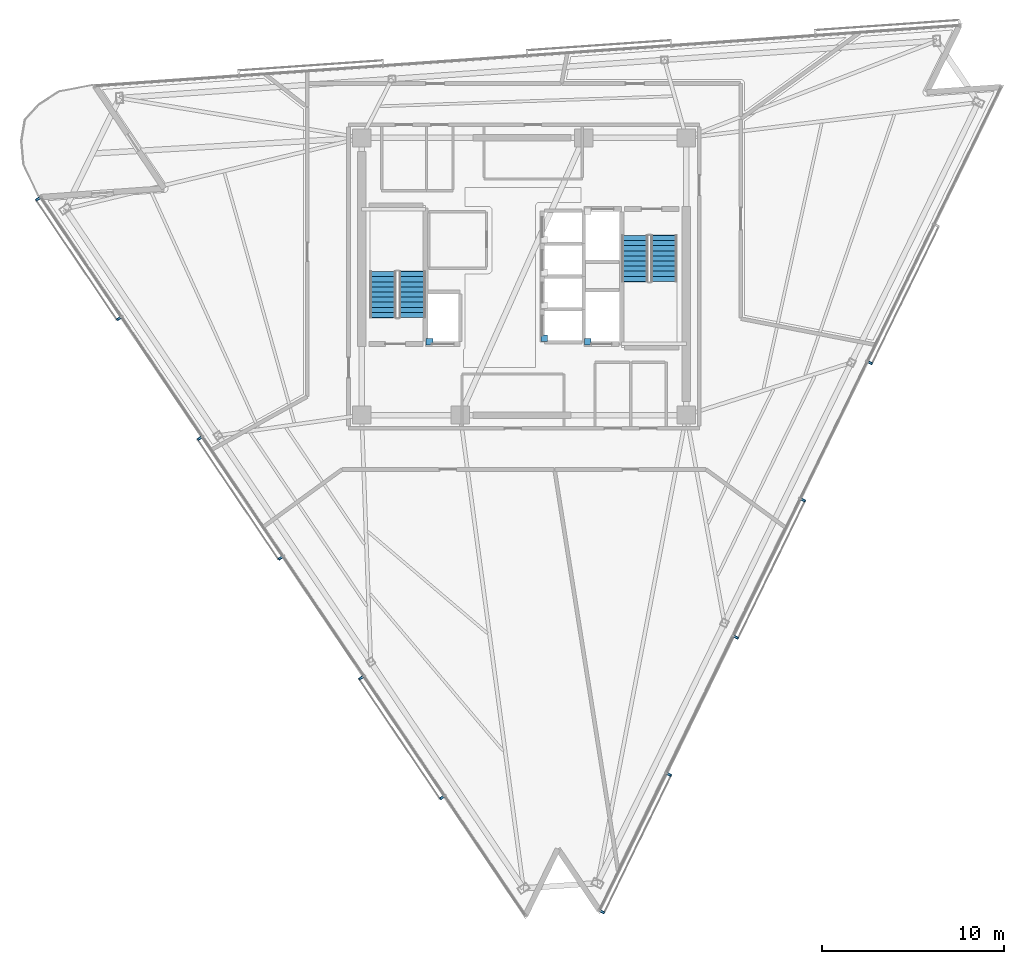
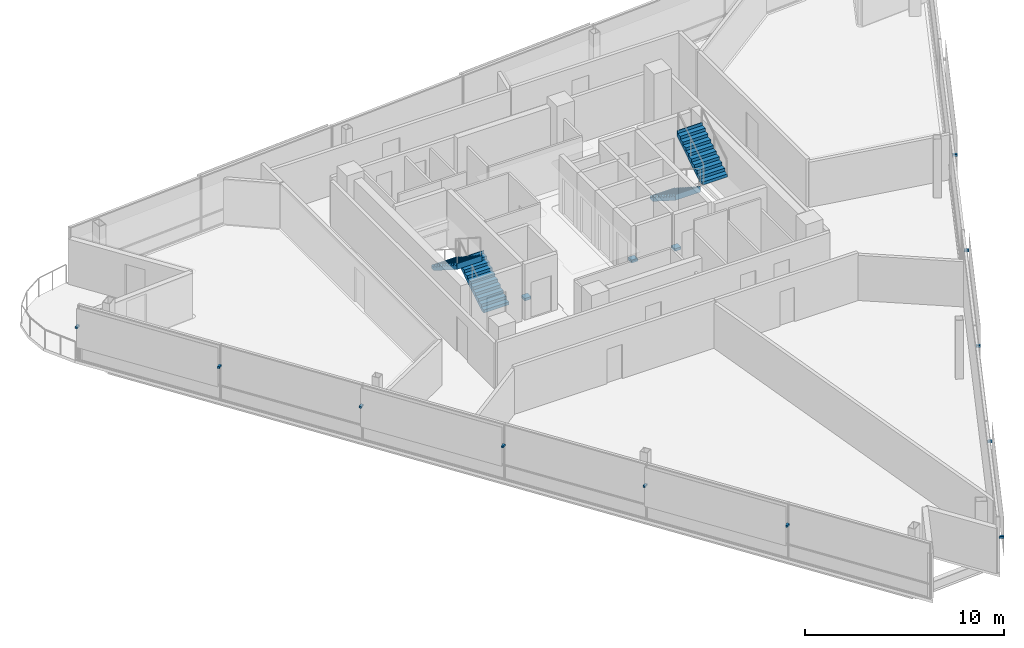
# One storey, part 11 of 15: 14 discrete accessories, 4 stair flights, 2 elements without a shape of their own.
"""IFC4 building model written with IfcOpenShell, lengths in metres."""

from ifc_helpers import new_model, si_unit, direction, frame, origin, origin_2d, place, context, subcontext, project, spatial, polyline, rectangle, outline, extrude, material, type_object, element, aggregate, save


model = new_model("IFC4")

# Units and contexts
model_context = context("Model", 3, precision=1e-05, world=origin(), true_north=direction((0.0, 1.0)))
body_context = subcontext(model_context, "Body", "Model", "MODEL_VIEW")
ifc_project = project(units=[si_unit("LENGTHUNIT", "METRE"), si_unit("AREAUNIT", "SQUARE_METRE"), si_unit("VOLUMEUNIT", "CUBIC_METRE"), si_unit("PLANEANGLEUNIT", "RADIAN"), si_unit("MASSUNIT", "GRAM", prefix="KILO")], contexts=[model_context])

# Site, building, storey
site_placement = place(None, origin())
site = spatial("IfcSite", under=ifc_project, at=site_placement, CompositionType="ELEMENT")
building_placement = place(site_placement, origin())
building = spatial("IfcBuilding", under=site, at=building_placement, Name="Tharavind Bronze Gate", CompositionType="ELEMENT")
storey_placement = place(building_placement, frame((0.0, 0.0, 267.800048828125)))
storey = spatial("IfcBuildingStorey", under=building, at=storey_placement, Name="L69", CompositionType="ELEMENT", Elevation=267.800048828125)

# Stair, stair flights
ifc_material_1 = material(Name="Concrete C40/50", Category="concrete")
stair_type = type_object("IfcStairType", Name="CORE HALF TURN STAIR 1450", PredefinedType="HALF_TURN_STAIR", material=ifc_material_1)
stair_1_placement = place(storey_placement, origin())
stair_1 = element("IfcStair", 1, at=stair_1_placement, inside=storey, type_object=stair_type, Name="L69 Protected Exit Stair ST1", PredefinedType="HALF_TURN_STAIR")
stair_flight_type = type_object("IfcStairFlightType", Name="CORE STAIR FLIGHT 1450", PredefinedType="STRAIGHT", material=ifc_material_1)
stair_flight_1_placement = place(storey_placement, frame((-6.125, -2.25, 0.0), z_axis=(0.0, 0.0, 1.0), x_axis=(0.0, 1.0, 0.0)))
stair_flight_1 = element("IfcStairFlight", 2, at=stair_flight_1_placement, type_object=stair_flight_type, Name="ST1 flight 1", NumberOfRisers=10, NumberOfTreads=9, PredefinedType="STRAIGHT", RiserHeight=0.18, TreadLength=0.28, context=body_context, shape_type="SweptSolid", body=[
    extrude(outline(polyline([(0.0, 0.0), (0.0, 0.179931640625), (0.280029296875, 0.179931640625), (0.280029296875, 0.360107421875), (0.56005859375, 0.360107421875), (0.56005859375, 0.5400390625), (0.840087890625, 0.5400390625), (0.840087890625, 0.719970703125), (1.1201171875, 0.719970703125), (1.1201171875, 0.89990234375), (1.39990234375, 0.89990234375), (1.39990234375, 1.080078125), (1.679931640625, 1.080078125), (1.679931640625, 1.260009765625), (1.9599609375, 1.260009765625), (1.9599609375, 1.43994140625), (2.239990234375, 1.43994140625), (2.239990234375, 1.6201171875), (2.52001953125, 1.6201171875), (2.52001953125, 1.800048828125), (2.555908203125, 1.800048828125), (2.555908203125, 1.44189453125), (0.277099609375, 0.0), (0.0, 0.0)])), frame((0.0, 0.72509765625, 0.0), z_axis=(0.0, -1.0, 0.0), x_axis=(1.0, 0.0, 0.0)), (0.0, 0.0, 1.0), 1.449951171875),
])
stair_flight_2_placement = place(storey_placement, frame((-7.72509765625, 0.27001953125, 1.800048828125), z_axis=(0.0, 0.0, 1.0), x_axis=(0.0, -1.0, 0.0)))
stair_flight_2 = element("IfcStairFlight", 3, at=stair_flight_2_placement, type_object=stair_flight_type, Name="ST1 flight 2", NumberOfRisers=10, NumberOfTreads=9, PredefinedType="STRAIGHT", RiserHeight=0.18, TreadLength=0.28, context=body_context, shape_type="SweptSolid", body=[
    extrude(outline(polyline([(0.0, 0.0), (0.0, 0.179931640625), (0.280029296875, 0.179931640625), (0.280029296875, 0.360107421875), (0.56005859375, 0.360107421875), (0.56005859375, 0.5400390625), (0.840087890625, 0.5400390625), (0.840087890625, 0.719970703125), (1.1201171875, 0.719970703125), (1.1201171875, 0.89990234375), (1.39990234375, 0.89990234375), (1.39990234375, 1.080078125), (1.679931640625, 1.080078125), (1.679931640625, 1.260009765625), (1.9599609375, 1.260009765625), (1.9599609375, 1.43994140625), (2.239990234375, 1.43994140625), (2.239990234375, 1.6201171875), (2.52001953125, 1.6201171875), (2.52001953125, 1.800048828125), (2.555908203125, 1.800048828125), (2.555908203125, 1.44189453125), (0.277099609375, 0.0), (0.0, 0.0)])), frame((0.0, 0.72509765625, 0.0), z_axis=(0.0, -1.0, 0.0), x_axis=(1.0, 0.0, 0.0)), (0.0, 0.0, 1.0), 1.449951171875),
])
aggregate(stair_1, [stair_flight_1, stair_flight_2])

stair_2_placement = place(storey_placement, origin())
stair_2 = element("IfcStair", 4, at=stair_2_placement, inside=storey, type_object=stair_type, Name="L69 Protected Exit Stair ST2", PredefinedType="HALF_TURN_STAIR")
stair_flight_3_placement = place(storey_placement, frame((6.074951171875, 2.25, 0.0), z_axis=(0.0, 0.0, 1.0), x_axis=(0.0, -1.0, 0.0)))
stair_flight_3 = element("IfcStairFlight", 5, at=stair_flight_3_placement, type_object=stair_flight_type, Name="ST2 flight 1", NumberOfRisers=10, NumberOfTreads=9, PredefinedType="STRAIGHT", RiserHeight=0.18, TreadLength=0.28, context=body_context, shape_type="SweptSolid", body=[
    extrude(outline(polyline([(0.0, 0.0), (0.0, 0.179931640625), (0.280029296875, 0.179931640625), (0.280029296875, 0.360107421875), (0.56005859375, 0.360107421875), (0.56005859375, 0.5400390625), (0.840087890625, 0.5400390625), (0.840087890625, 0.719970703125), (1.1201171875, 0.719970703125), (1.1201171875, 0.89990234375), (1.39990234375, 0.89990234375), (1.39990234375, 1.080078125), (1.679931640625, 1.080078125), (1.679931640625, 1.260009765625), (1.9599609375, 1.260009765625), (1.9599609375, 1.43994140625), (2.239990234375, 1.43994140625), (2.239990234375, 1.6201171875), (2.52001953125, 1.6201171875), (2.52001953125, 1.800048828125), (2.555908203125, 1.800048828125), (2.555908203125, 1.44189453125), (0.277099609375, 0.0), (0.0, 0.0)])), frame((0.0, 0.72509765625, 0.0), z_axis=(0.0, -1.0, 0.0), x_axis=(1.0, 0.0, 0.0)), (0.0, 0.0, 1.0), 1.449951171875),
])
stair_flight_4_placement = place(storey_placement, frame((7.675048828125, -0.27001953125, 1.800048828125), z_axis=(0.0, 0.0, 1.0), x_axis=(0.0, 1.0, 0.0)))
stair_flight_4 = element("IfcStairFlight", 6, at=stair_flight_4_placement, type_object=stair_flight_type, Name="ST2 flight 2", NumberOfRisers=10, NumberOfTreads=9, PredefinedType="STRAIGHT", RiserHeight=0.18, TreadLength=0.28, context=body_context, shape_type="SweptSolid", body=[
    extrude(outline(polyline([(0.0, 0.0), (0.0, 0.179931640625), (0.280029296875, 0.179931640625), (0.280029296875, 0.360107421875), (0.56005859375, 0.360107421875), (0.56005859375, 0.5400390625), (0.840087890625, 0.5400390625), (0.840087890625, 0.719970703125), (1.1201171875, 0.719970703125), (1.1201171875, 0.89990234375), (1.39990234375, 0.89990234375), (1.39990234375, 1.080078125), (1.679931640625, 1.080078125), (1.679931640625, 1.260009765625), (1.9599609375, 1.260009765625), (1.9599609375, 1.43994140625), (2.239990234375, 1.43994140625), (2.239990234375, 1.6201171875), (2.52001953125, 1.6201171875), (2.52001953125, 1.800048828125), (2.555908203125, 1.800048828125), (2.555908203125, 1.44189453125), (0.277099609375, 0.0), (0.0, 0.0)])), frame((0.0, 0.72509765625, 0.0), z_axis=(0.0, -1.0, 0.0), x_axis=(1.0, 0.0, 0.0)), (0.0, 0.0, 1.0), 1.449951171875),
])
aggregate(stair_2, [stair_flight_3, stair_flight_4])

# Discrete accessories
ifc_material_2 = material(Name="Galvanised Steel S355", Category="steel")
discrete_accessory_type_1 = type_object("IfcDiscreteAccessoryType", Name="LIFT GUIDE RAIL BRACKET", PredefinedType="BRACKET", material=ifc_material_2)
for number, where, z_axis, x_axis, name in (
    (7, (1.1201171875, -3.3798828125, 1.1201171875), (0.0, 0.0, 1.0), (1.0, 0.0, 0.0), "Lift PL9 guide rail bracket at L69"),
    (8, (-5.179931640625, -3.580078125, 1.1201171875), (0.0, 0.0, 1.0), (1.0, 0.0, 0.0), "Lift FFL1 guide rail bracket at L69"),
    (9, (3.5, -3.580078125, 1.1201171875), (0.0, 0.0, 1.0), (1.0, 0.0, 0.0), "Lift SVL1 guide rail bracket at L69"),
):
    element("IfcDiscreteAccessory", number, at=place(storey_placement, frame(where, z_axis=z_axis, x_axis=x_axis)), inside=storey, type_object=discrete_accessory_type_1, Name=name, PredefinedType="BRACKET", context=body_context, shape_type="SweptSolid", body=[
        extrude(rectangle(XDim=0.360107421875, YDim=0.360107421875, at=origin_2d()), origin(), (0.0, 0.0, 1.0), 0.159912109375),
    ])
ifc_material_3 = material(Name="Stainless Steel 316", Category="steel")
discrete_accessory_type_2 = type_object("IfcDiscreteAccessoryType", Name="SOLAR SCREEN STANDOFF BRACKET", PredefinedType="BRACKET", material=ifc_material_3)
for number, where, z_axis, x_axis, name in (
    (10, (-26.647216796875, 4.25146484375, 2.099853515625), (0.0, 0.0, 1.0), (0.559191456526, -0.82903854853, 0.0), "CW-L69-S1 solar screen bracket 1.1"),
    (11, (-22.21826171875, -2.314697265625, 2.099853515625), (0.0, 0.0, 1.0), (0.559191456526, -0.82903854853, 0.0), "CW-L69-S1 solar screen bracket 1.2"),
    (12, (-17.789306640625, -8.881103515625, 2.099853515625), (0.0, 0.0, 1.0), (0.559191456526, -0.82903854853, 0.0), "CW-L69-S1 solar screen bracket 3.1"),
    (13, (-13.3603515625, -15.447265625, 2.099853515625), (0.0, 0.0, 1.0), (0.559191456526, -0.82903854853, 0.0), "CW-L69-S1 solar screen bracket 3.2"),
    (14, (-8.931396484375, -22.013427734375, 2.099853515625), (0.0, 0.0, 1.0), (0.559191456526, -0.82903854853, 0.0), "CW-L69-S1 solar screen bracket 5.1"),
    (15, (-4.502197265625, -28.579833984375, 2.099853515625), (0.0, 0.0, 1.0), (0.559191456526, -0.82903854853, 0.0), "CW-L69-S1 solar screen bracket 5.2"),
    (16, (4.2958984375, -34.840576171875, 2.099853515625), (0.0, 0.0, 1.0), (0.43837271548, 0.898793281196, 0.0), "CW-L69-S2 solar screen bracket 1.1"),
    (17, (7.966064453125, -27.3154296875, 2.099853515625), (0.0, 0.0, 1.0), (0.43837271548, 0.898793281196, 0.0), "CW-L69-S2 solar screen bracket 1.2"),
    (18, (11.63623046875, -19.79052734375, 2.099853515625), (0.0, 0.0, 1.0), (0.43837271548, 0.898793281196, 0.0), "CW-L69-S2 solar screen bracket 3.1"),
    (19, (15.306396484375, -12.265380859375, 2.099853515625), (0.0, 0.0, 1.0), (0.43837271548, 0.898793281196, 0.0), "CW-L69-S2 solar screen bracket 3.2"),
    (20, (18.9765625, -4.740478515625, 2.099853515625), (0.0, 0.0, 1.0), (0.43837271548, 0.898793281196, 0.0), "CW-L69-S2 solar screen bracket 5.1"),
):
    element("IfcDiscreteAccessory", number, at=place(storey_placement, frame(where, z_axis=z_axis, x_axis=x_axis)), inside=storey, type_object=discrete_accessory_type_2, Name=name, PredefinedType="BRACKET", context=body_context, shape_type="SweptSolid", body=[
        extrude(rectangle(XDim=0.1201171875, YDim=0.239990234375, at=origin_2d()), origin(), (0.0, 0.0, 1.0), 0.1201171875),
    ])

save(model, "model.ifc")
